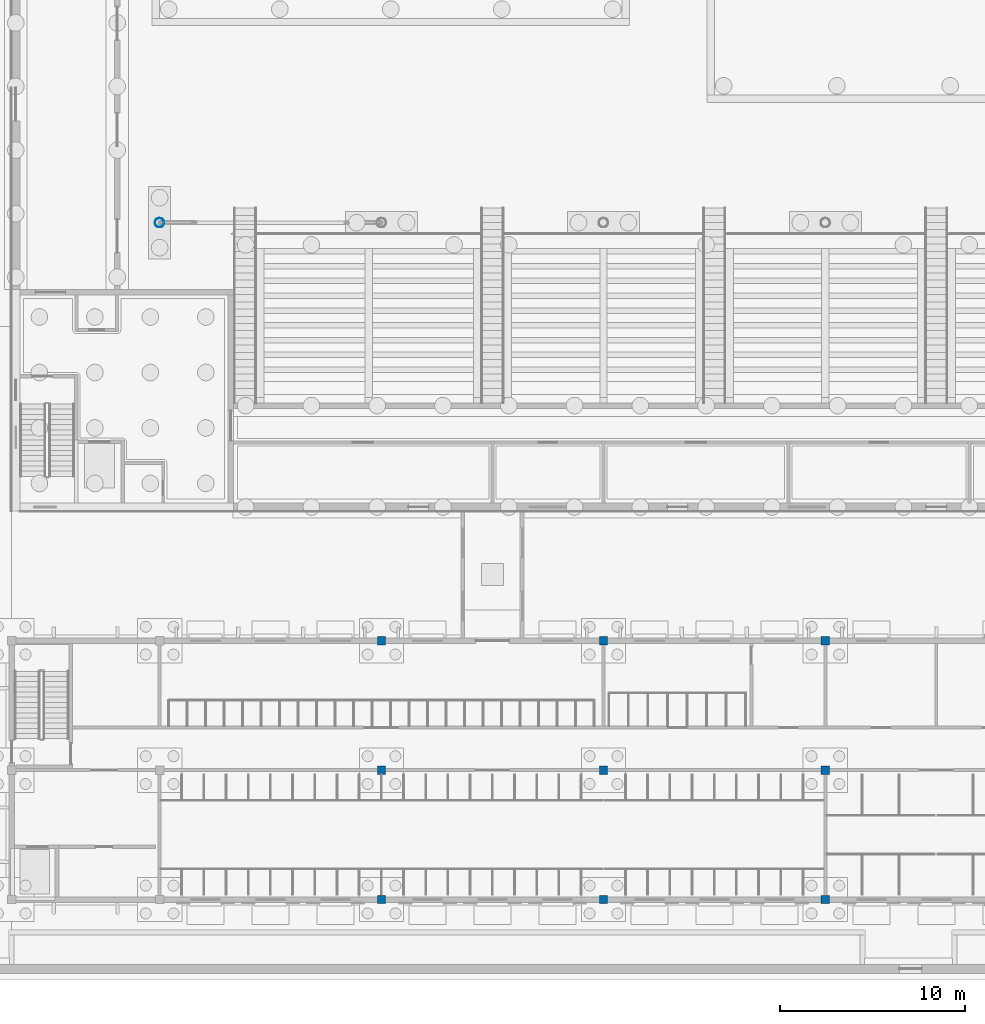
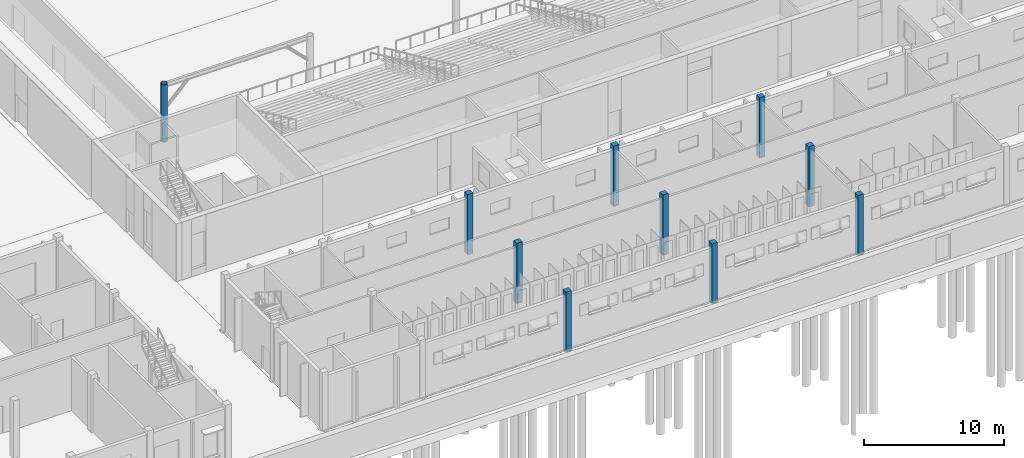
# One storey, part 9 of 157: 10 columns.
"""IFC4 building model written with IfcOpenShell, lengths in metres."""

from ifc_helpers import new_model, si_unit, direction, frame, origin, origin_2d, place, context, subcontext, project, spatial, rectangle, hollow_circle, extrude, material, material_profile, profile_set, type_object, element, save


model = new_model("IFC4")

# Units and contexts
model_context = context("Model", 3, precision=1e-05, world=origin(), true_north=direction((0.0, 1.0)))
body_context = subcontext(model_context, "Body", "Model", "MODEL_VIEW")
ifc_project = project(units=[si_unit("LENGTHUNIT", "METRE"), si_unit("AREAUNIT", "SQUARE_METRE"), si_unit("VOLUMEUNIT", "CUBIC_METRE"), si_unit("PLANEANGLEUNIT", "RADIAN"), si_unit("MASSUNIT", "GRAM", prefix="KILO")], contexts=[model_context])

# Site, building, storey
site_placement = place(None, origin())
site = spatial("IfcSite", under=ifc_project, at=site_placement, CompositionType="ELEMENT")
building_placement = place(site_placement, origin())
building = spatial("IfcBuilding", under=site, at=building_placement, Name="Windward Yard Aquatics Centre", CompositionType="ELEMENT")
storey_placement = place(building_placement, origin())
storey = spatial("IfcBuildingStorey", under=building, at=storey_placement, Name="L00", CompositionType="ELEMENT", Elevation=0.0)

# Columns
ifc_material_1 = material(Name="Concrete C35/45", Category="concrete")
ifc_material_profile_1 = material_profile(ifc_material_1, rectangle(XDim=0.449951171875, YDim=0.449951171875, at=origin_2d()), Name="RC 450X450")
ifc_profile_set_1 = profile_set([ifc_material_profile_1], Name="Concrete C35/45")
column_type_1 = type_object("IfcColumnType", Name="C column RC 450X450", PredefinedType="COLUMN", material=ifc_profile_set_1)
for number, where, z_axis, x_axis, name in (
    (1, (72.0, 5.0, -0.25), (0.0, 0.0, 1.0), (1.0, 0.0, 0.0), "C.COL.L00.3.1"),
    (2, (72.0, 12.0, -0.25), (0.0, 0.0, 1.0), (1.0, 0.0, 0.0), "C.COL.L00.3.2"),
    (3, (72.0, 19.0, -0.25), (0.0, 0.0, 1.0), (1.0, 0.0, 0.0), "C.COL.L00.3.3"),
    (4, (84.0, 5.0, -0.25), (0.0, 0.0, 1.0), (1.0, 0.0, 0.0), "C.COL.L00.4.1"),
    (5, (84.0, 12.0, -0.25), (0.0, 0.0, 1.0), (1.0, 0.0, 0.0), "C.COL.L00.4.2"),
    (6, (84.0, 19.0, -0.25), (0.0, 0.0, 1.0), (1.0, 0.0, 0.0), "C.COL.L00.4.3"),
    (7, (96.0, 5.0, -0.25), (0.0, 0.0, 1.0), (1.0, 0.0, 0.0), "C.COL.L00.5.1"),
    (8, (96.0, 12.0, -0.25), (0.0, 0.0, 1.0), (1.0, 0.0, 0.0), "C.COL.L00.5.2"),
    (9, (96.0, 19.0, -0.25), (0.0, 0.0, 1.0), (1.0, 0.0, 0.0), "C.COL.L00.5.3"),
):
    element("IfcColumn", number, at=place(storey_placement, frame(where, z_axis=z_axis, x_axis=x_axis)), inside=storey, type_object=column_type_1, Name=name, PredefinedType="COLUMN", context=body_context, shape_type="SweptSolid", body=[
        extrude(rectangle(XDim=0.449951171875, YDim=0.449951171875, at=origin_2d()), origin(), (0.0, 0.0, 1.0), 5.25),
    ])
ifc_material_2 = material(Name="Steel ASTM A500 Gr C", Category="steel")
ifc_material_profile_2 = material_profile(ifc_material_2, hollow_circle(Radius=0.25390625, WallThickness=0.015869140625, at=origin_2d()), Name="HSS508X15.9")
ifc_profile_set_2 = profile_set([ifc_material_profile_2], Name="Steel ASTM A500 Gr C")
column_type_2 = type_object("IfcColumnType", Name="H arch column HSS508X15.9", PredefinedType="COLUMN", material=ifc_profile_set_2)
column_placement = place(storey_placement, frame((60.0, 41.60009765625, 0.0), z_axis=(0.0, 0.0, 1.0), x_axis=(1.0, 0.0, 0.0)))
element("IfcColumn", 10, at=column_placement, inside=storey, type_object=column_type_2, Name="H.AC.S1.L00", PredefinedType="COLUMN", context=body_context, shape_type="SweptSolid", body=[
    extrude(hollow_circle(Radius=0.25390625, WallThickness=0.015869140625, at=origin_2d()), origin(), (0.0, 0.0, 1.0), 5.0),
])

save(model, "model.ifc")
